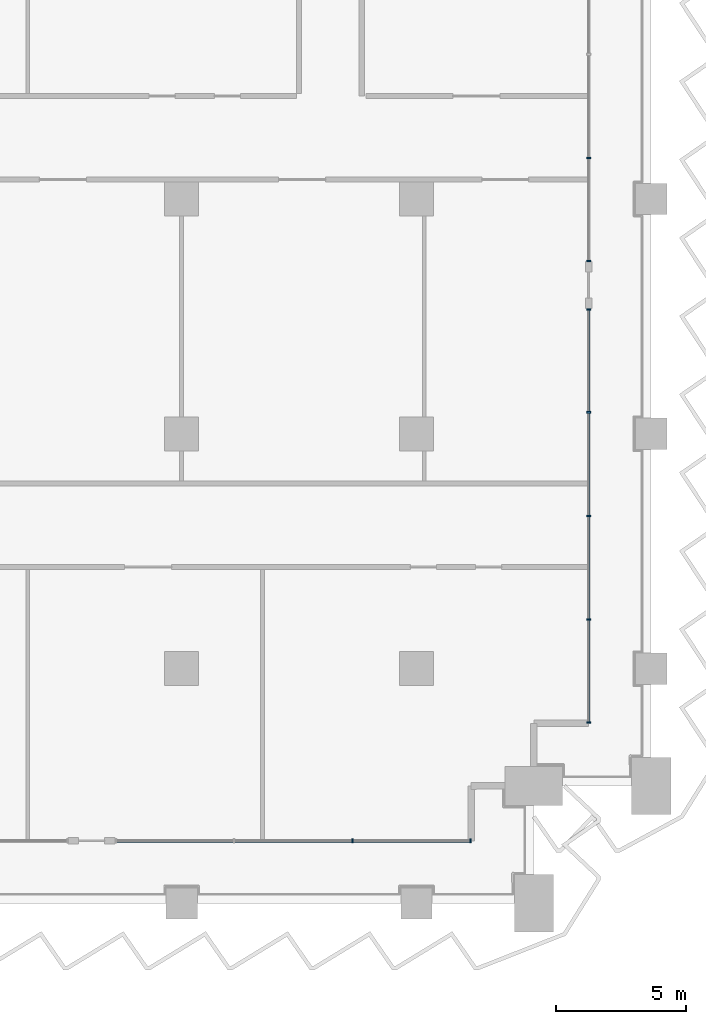
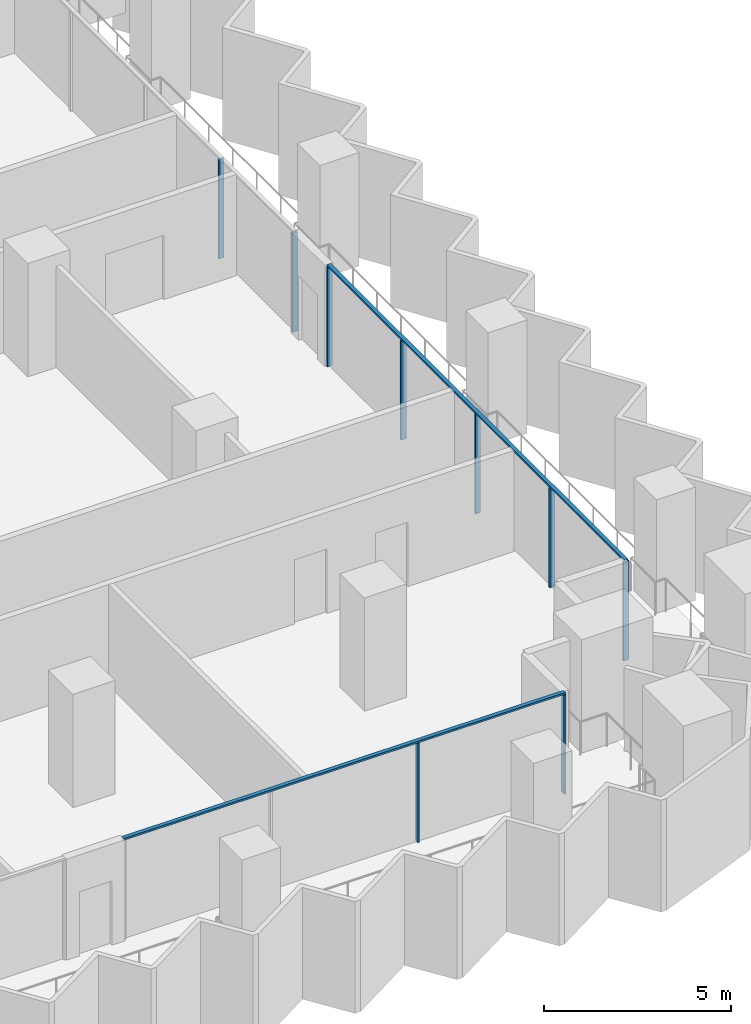
# One storey, part 5 of 22: 11 members, 3 elements without a shape of their own.
"""IFC4 building model written with IfcOpenShell, lengths in metres."""

from ifc_helpers import new_model, si_unit, direction, frame, origin, origin_2d, place, context, subcontext, project, spatial, rectangle, extrude, material, material_profile, profile_set, type_object, element, aggregate, save


model = new_model("IFC4")

# Units and contexts
model_context = context("Model", 3, precision=1e-05, world=origin(), true_north=direction((0.0, 1.0)))
body_context = subcontext(model_context, "Body", "Model", "MODEL_VIEW")
ifc_project = project(units=[si_unit("LENGTHUNIT", "METRE"), si_unit("AREAUNIT", "SQUARE_METRE"), si_unit("VOLUMEUNIT", "CUBIC_METRE"), si_unit("PLANEANGLEUNIT", "RADIAN"), si_unit("MASSUNIT", "GRAM", prefix="KILO")], contexts=[model_context])

# Site, building, storey
site_placement = place(None, origin())
site = spatial("IfcSite", under=ifc_project, at=site_placement, CompositionType="ELEMENT")
building_placement = place(site_placement, origin())
building = spatial("IfcBuilding", under=site, at=building_placement, Name="Hunhe Ridgeline Campus", CompositionType="ELEMENT")
storey_placement = place(building_placement, frame((0.0, 0.0, 84.800048828125)))
storey = spatial("IfcBuildingStorey", under=building, at=storey_placement, Name="L20", CompositionType="ELEMENT", Elevation=84.800048828125)

# Curtain wall, members
ifc_material = material(Name="Aluminium 6063", Category="aluminium")
curtain_wall_type = type_object("IfcCurtainWallType", Name="Curtain wall CW-1", PredefinedType="NOTDEFINED", material=ifc_material)
curtain_wall_1_placement = place(storey_placement, origin())
curtain_wall_1 = element("IfcCurtainWall", 1, at=curtain_wall_1_placement, inside=storey, type_object=curtain_wall_type, Name="Curtain wall 14", PredefinedType="NOTDEFINED")
ifc_material_profile_1 = material_profile(ifc_material, rectangle(XDim=0.159912109375, YDim=0.06005859375, at=origin_2d()))
ifc_profile_set_1 = profile_set([ifc_material_profile_1], Name="Aluminium 6063")
member_type_1 = type_object("IfcMemberType", Name="CW-1 aluminium mullion", PredefinedType="MULLION", material=ifc_profile_set_1)
member_1_placement = place(storey_placement, frame((69.549072265625, 56.40087890625, 0.0), z_axis=(0.0, 0.0, 1.0), x_axis=(-1.4652e-07, 1.0, 0.0)))
member_1 = element("IfcMember", 2, at=member_1_placement, type_object=member_type_1, Name="CW-1 mullion 3", PredefinedType="MULLION", context=body_context, shape_type="SweptSolid", body=[
    extrude(rectangle(XDim=0.159912109375, YDim=0.06005859375, at=origin_2d()), origin(), (0.0, 0.0, 1.0), 3.239990234375),
])
member_2_placement = place(storey_placement, frame((74.069091796875, 56.40087890625, 0.0), z_axis=(0.0, 0.0, 1.0), x_axis=(-1.4652e-07, 1.0, 0.0)))
member_2 = element("IfcMember", 3, at=member_2_placement, type_object=member_type_1, Name="CW-1 mullion 4", PredefinedType="MULLION", context=body_context, shape_type="SweptSolid", body=[
    extrude(rectangle(XDim=0.159912109375, YDim=0.06005859375, at=origin_2d()), origin(), (0.0, 0.0, 1.0), 3.239990234375),
])

curtain_wall_2_placement = place(storey_placement, origin())
curtain_wall_2 = element("IfcCurtainWall", 4, at=curtain_wall_2_placement, inside=storey, type_object=curtain_wall_type, Name="Curtain wall 15", PredefinedType="NOTDEFINED")
member_3_placement = place(storey_placement, frame((78.59912109375, 60.930908203125, 0.0), z_axis=(0.0, 0.0, 1.0), x_axis=(-1.0, 0.0, 0.0)))
member_3 = element("IfcMember", 5, at=member_3_placement, type_object=member_type_1, Name="CW-1 mullion 1", PredefinedType="MULLION", context=body_context, shape_type="SweptSolid", body=[
    extrude(rectangle(XDim=0.159912109375, YDim=0.06005859375, at=origin_2d()), origin(), (0.0, 0.0, 1.0), 3.239990234375),
])
member_4_placement = place(storey_placement, frame((78.59912109375, 64.8759765625, 0.0), z_axis=(0.0, 0.0, 1.0), x_axis=(-1.0, 0.0, 0.0)))
member_4 = element("IfcMember", 6, at=member_4_placement, type_object=member_type_1, Name="CW-1 mullion 2", PredefinedType="MULLION", context=body_context, shape_type="SweptSolid", body=[
    extrude(rectangle(XDim=0.159912109375, YDim=0.06005859375, at=origin_2d()), origin(), (0.0, 0.0, 1.0), 3.239990234375),
])
member_5_placement = place(storey_placement, frame((78.59912109375, 68.850830078125, 0.0), z_axis=(0.0, 0.0, 1.0), x_axis=(-1.0, 0.0, 0.0)))
member_5 = element("IfcMember", 7, at=member_5_placement, type_object=member_type_1, Name="CW-1 mullion 3", PredefinedType="MULLION", context=body_context, shape_type="SweptSolid", body=[
    extrude(rectangle(XDim=0.159912109375, YDim=0.06005859375, at=origin_2d()), origin(), (0.0, 0.0, 1.0), 3.239990234375),
])
member_6_placement = place(storey_placement, frame((78.59912109375, 72.82568359375, 0.0), z_axis=(0.0, 0.0, 1.0), x_axis=(-1.0, 0.0, 0.0)))
member_6 = element("IfcMember", 8, at=member_6_placement, type_object=member_type_1, Name="CW-1 mullion 4", PredefinedType="MULLION", context=body_context, shape_type="SweptSolid", body=[
    extrude(rectangle(XDim=0.159912109375, YDim=0.06005859375, at=origin_2d()), origin(), (0.0, 0.0, 1.0), 3.239990234375),
])
member_7_placement = place(storey_placement, frame((78.59912109375, 76.7705078125, 0.0), z_axis=(0.0, 0.0, 1.0), x_axis=(-1.0, 0.0, 0.0)))
member_7 = element("IfcMember", 9, at=member_7_placement, type_object=member_type_1, Name="CW-1 mullion 5", PredefinedType="MULLION", context=body_context, shape_type="SweptSolid", body=[
    extrude(rectangle(XDim=0.159912109375, YDim=0.06005859375, at=origin_2d()), origin(), (0.0, 0.0, 1.0), 3.239990234375),
])

curtain_wall_3_placement = place(storey_placement, origin())
curtain_wall_3 = element("IfcCurtainWall", 10, at=curtain_wall_3_placement, inside=storey, type_object=curtain_wall_type, Name="Curtain wall 16", PredefinedType="NOTDEFINED")
member_8_placement = place(storey_placement, frame((78.59912109375, 78.630615234375, 0.0), z_axis=(0.0, 0.0, 1.0), x_axis=(-1.0, 0.0, 0.0)))
member_8 = element("IfcMember", 11, at=member_8_placement, type_object=member_type_1, Name="CW-1 mullion 1", PredefinedType="MULLION", context=body_context, shape_type="SweptSolid", body=[
    extrude(rectangle(XDim=0.159912109375, YDim=0.06005859375, at=origin_2d()), origin(), (0.0, 0.0, 1.0), 3.239990234375),
])
member_9_placement = place(storey_placement, frame((78.59912109375, 82.575439453125, 0.0), z_axis=(0.0, 0.0, 1.0), x_axis=(-1.0, 0.0, 0.0)))
member_9 = element("IfcMember", 12, at=member_9_placement, type_object=member_type_1, Name="CW-1 mullion 2", PredefinedType="MULLION", context=body_context, shape_type="SweptSolid", body=[
    extrude(rectangle(XDim=0.159912109375, YDim=0.06005859375, at=origin_2d()), origin(), (0.0, 0.0, 1.0), 3.239990234375),
])
aggregate(curtain_wall_3, [member_8, member_9])

# Member
ifc_material_profile_2 = material_profile(ifc_material, rectangle(XDim=0.1201171875, YDim=0.06005859375, at=origin_2d()))
ifc_profile_set_2 = profile_set([ifc_material_profile_2], Name="Aluminium 6063")
member_type_2 = type_object("IfcMemberType", Name="CW-1 aluminium transom", PredefinedType="USERDEFINED", material=ifc_profile_set_2)
member_10_placement = place(storey_placement, frame((60.449462890625, 56.40087890625, 3.27001953125), z_axis=(1.0, 0.0, 0.0), x_axis=(0.0, 1.0, 0.0)))
member_10 = element("IfcMember", 13, at=member_10_placement, type_object=member_type_2, Name="CW-1 transom 1", ObjectType="TRANSOM", PredefinedType="USERDEFINED", context=body_context, shape_type="SweptSolid", body=[
    extrude(rectangle(XDim=0.1201171875, YDim=0.06005859375, at=origin_2d()), origin(), (0.0, 0.0, 1.0), 13.649658203125),
])

aggregate(curtain_wall_1, [member_10, member_1, member_2])

member_11_placement = place(storey_placement, frame((78.59912109375, 60.90087890625, 3.27001953125), z_axis=(0.0, 1.0, 0.0), x_axis=(-1.0, 0.0, 0.0)))
member_11 = element("IfcMember", 14, at=member_11_placement, type_object=member_type_2, Name="CW-1 transom 1", ObjectType="TRANSOM", PredefinedType="USERDEFINED", context=body_context, shape_type="SweptSolid", body=[
    extrude(rectangle(XDim=0.1201171875, YDim=0.06005859375, at=origin_2d()), origin(), (0.0, 0.0, 1.0), 15.899658203125),
])

aggregate(curtain_wall_2, [member_11, member_3, member_4, member_5, member_6, member_7])

save(model, "model.ifc")
